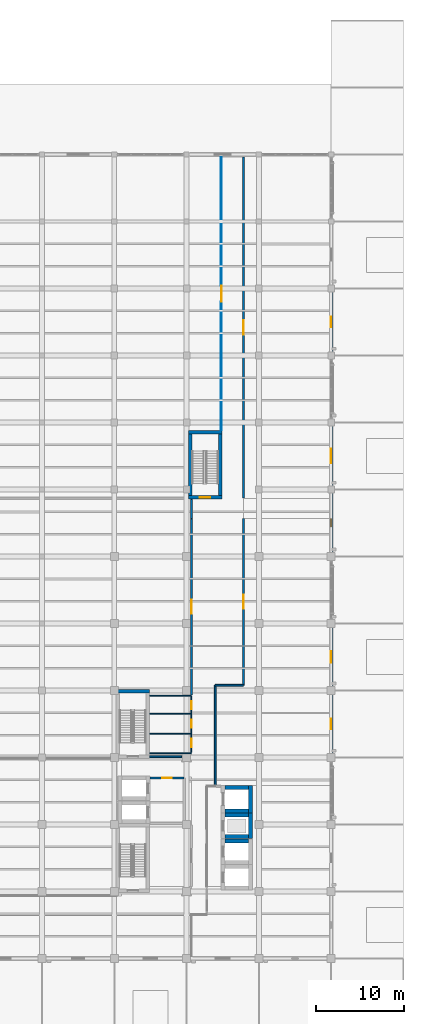
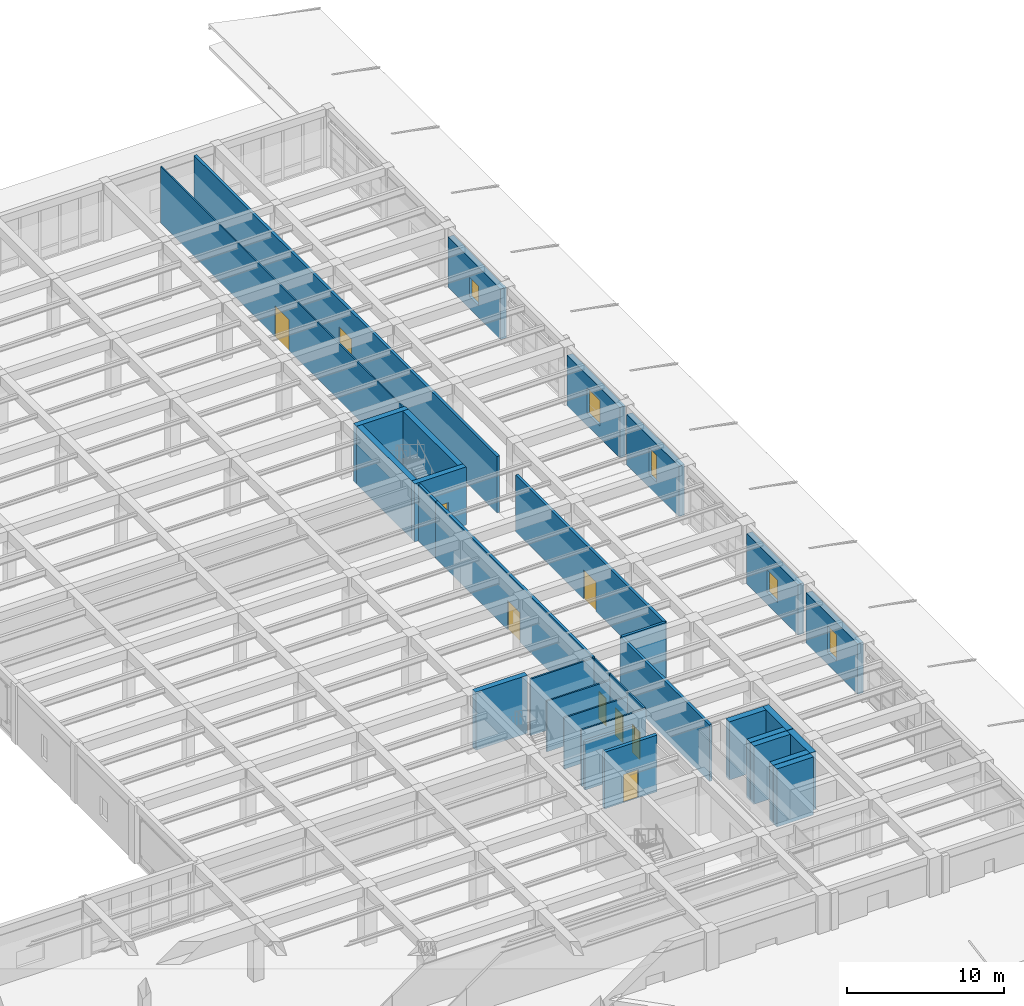
# One storey, part 42 of 57: 33 walls, 9 doors, 5 windows, 14 openings.
"""IFC4 building model written with IfcOpenShell, lengths in metres."""

import ifcopenshell
import ifcopenshell.guid

model = None  # the IFC model being written
_history = None  # IfcOwnerHistory: only IFC2X3 demands one
_inside = {}  # id of a spatial element -> (the spatial element, [elements in it])
_under = {}  # id of a project, library or spatial element -> (it, [spatial elements below it])
_declared = {}  # id of a project -> (the project, [libraries it declares])
_typed = {}  # id of a type object -> (the type object, [elements of that type])
_made_of = {}  # id of a material, layer set ... -> (it, [elements and type objects made of it])


def new_model(schema):
    """Start an empty IFC model of exactly this schema.

    Asked for "IFC4X3", IfcOpenShell would pick the latest addendum, in which some entities
    have other attributes; the version numbers below select the first issue.
    IFC2X3 requires an IfcOwnerHistory on every rooted entity: one is made here for all.
    """
    global model, _history
    if schema == "IFC4X3":
        model = ifcopenshell.file(schema_version=(4, 3, 0, 0))
    else:
        model = ifcopenshell.file(schema=schema)
    _inside.clear()
    _under.clear()
    _declared.clear()
    _typed.clear()
    _made_of.clear()
    _history = None
    if model.schema == "IFC2X3":
        org = make("IfcOrganization", Name="unknown")
        user = make(
            "IfcPersonAndOrganization",
            ThePerson=make("IfcPerson", FamilyName="unknown"),
            TheOrganization=org,
        )
        app = make(
            "IfcApplication",
            ApplicationDeveloper=org,
            Version="unknown",
            ApplicationFullName="unknown",
            ApplicationIdentifier="unknown",
        )
        _history = make(
            "IfcOwnerHistory",
            OwningUser=user,
            OwningApplication=app,
            ChangeAction="ADDED",
            CreationDate=0,
        )
    return model


def make(cls, **values):
    """One entity of the class cls with the attributes given. An attribute that is None is left unset."""
    return model.create_entity(
        cls, **{name: value for name, value in values.items() if value is not None}
    )


def rooted(cls, **values):
    """An entity with a GlobalId (a new one), such as an element, a storey or a relation."""
    return make(cls, GlobalId=ifcopenshell.guid.new(), OwnerHistory=_history, **values)


def si_unit(unit_type, name, prefix=None):
    """IfcSIUnit, for example si_unit("LENGTHUNIT", "METRE", prefix="MILLI")."""
    return make("IfcSIUnit", UnitType=unit_type, Prefix=prefix, Name=name)


def assignment(units):
    """IfcUnitAssignment: the units of a project."""
    return None if units is None else make("IfcUnitAssignment", Units=units)


def point(xyz):
    """IfcCartesianPoint."""
    return None if xyz is None else make("IfcCartesianPoint", Coordinates=xyz)


def direction(xyz):
    """IfcDirection."""
    return None if xyz is None else make("IfcDirection", DirectionRatios=xyz)


def frame(location, z_axis=None, x_axis=None):
    """IfcAxis2Placement3D, a coordinate frame: its origin and axes. An axis left out is left unset."""
    return make(
        "IfcAxis2Placement3D",
        Location=point(location),
        Axis=direction(z_axis),
        RefDirection=direction(x_axis),
    )


def frame_2d(location, x_axis=None):
    """IfcAxis2Placement2D, a coordinate frame in the plane: its origin and x axis."""
    return make(
        "IfcAxis2Placement2D", Location=point(location), RefDirection=direction(x_axis)
    )


def origin():
    """The frame at (0, 0, 0) with its axes left unset."""
    return frame((0.0, 0.0, 0.0))


def place(relative_to, where):
    """IfcLocalPlacement: puts the frame where relative to a parent placement (None: the world)."""
    return make(
        "IfcLocalPlacement", PlacementRelTo=relative_to, RelativePlacement=where
    )


def context(
    kind, dimensions, precision=None, world=None, true_north=None, identifier=None
):
    """IfcGeometricRepresentationContext, for example the 3D "Model" context."""
    return make(
        "IfcGeometricRepresentationContext",
        ContextIdentifier=identifier,
        ContextType=kind,
        CoordinateSpaceDimension=dimensions,
        Precision=precision,
        WorldCoordinateSystem=world,
        TrueNorth=true_north,
    )


def subcontext(parent, identifier, kind, view, scale=None):
    """IfcGeometricRepresentationSubContext, for example "Body" below "Model"."""
    return make(
        "IfcGeometricRepresentationSubContext",
        ContextIdentifier=identifier,
        ContextType=kind,
        ParentContext=parent,
        TargetScale=scale,
        TargetView=view,
    )


def project(units=None, contexts=None):
    """IfcProject with its units and contexts."""
    return rooted(
        "IfcProject",
        Name="project",
        RepresentationContexts=contexts,
        UnitsInContext=assignment(units),
    )


def spatial(cls, under=None, at=None, **own):
    """A site, building, storey or space (cls), placed at a placement, below another one or the project."""
    s = rooted(cls, ObjectPlacement=at, **own)
    if under is not None:
        _under.setdefault(under.id(), (under, []))[1].append(s)
    return s


def profile(cls, at=None, kind="AREA", **sizes):
    """A parametric profile (cls). Its sizes go by their IFC names, for example OverallWidth=200.0."""
    return make(cls, ProfileType=kind, Position=at, **sizes)


def rectangle(**sizes):
    """IfcRectangleProfileDef."""
    return profile("IfcRectangleProfileDef", **sizes)


def extrude(swept, where, along, depth):
    """IfcExtrudedAreaSolid: the profile swept, set in the frame where, extruded along a direction by depth."""
    return make(
        "IfcExtrudedAreaSolid",
        SweptArea=swept,
        Position=where,
        ExtrudedDirection=direction(along),
        Depth=depth,
    )


def shape(context_of_items, identifier, shape_type, items):
    """IfcShapeRepresentation: the items that make up one representation, for example the "Body"."""
    return make(
        "IfcShapeRepresentation",
        ContextOfItems=context_of_items,
        RepresentationIdentifier=identifier,
        RepresentationType=shape_type,
        Items=items,
    )


def material(Name=None, Category=None):
    """IfcMaterial."""
    return make("IfcMaterial", Name=Name, Category=Category)


def layer(
    of_material, thickness, ventilated=None, Name=None, Category=None, Priority=None
):
    """IfcMaterialLayer: one layer of a wall or slab, of a material (None: an air gap)."""
    return make(
        "IfcMaterialLayer",
        Material=of_material,
        LayerThickness=thickness,
        IsVentilated=ventilated,
        Name=Name,
        Category=Category,
        Priority=Priority,
    )


def layer_set(layers, Name=None):
    """IfcMaterialLayerSet."""
    return make("IfcMaterialLayerSet", MaterialLayers=layers, LayerSetName=Name)


def made_of(thing, what):
    """Note that an element or type object is made of a material, layer set ...; save() writes the relation."""
    if what is not None:
        _made_of.setdefault(what.id(), (what, []))[1].append(thing)
    return thing


def type_object(cls, material=None, **own):
    """A type object (cls), such as IfcWallType, which elements share."""
    return made_of(rooted(cls, **own), material)


def element(
    cls,
    number,
    at=None,
    inside=None,
    cuts=None,
    type_object=None,
    material=None,
    context=None,
    identifier="Body",
    shape_type=None,
    held_by="IfcProductDefinitionShape",
    body=None,
    shapes=None,
    **own,
):
    """One element of the class cls, such as IfcWall. Its Tag is "e" and its number.

    at: its placement. inside: the storey or other place that contains it. cuts: it is an
    opening in that element (IfcRelVoidsElement). A single representation is given by context,
    identifier, shape_type and body (its items); several are given by shapes. held_by: the class
    of the entity that holds the representations. save() writes the other relations.
    """
    e = rooted(cls, Tag="e%d" % number, ObjectPlacement=at, **own)
    if body is not None:
        shapes = [shape(context, identifier, shape_type, body)]
    if shapes is not None:
        e.Representation = make(held_by, Representations=shapes)
    if inside is not None:
        _inside.setdefault(inside.id(), (inside, []))[1].append(e)
    if cuts is not None:
        rooted(
            "IfcRelVoidsElement", RelatingBuildingElement=cuts, RelatedOpeningElement=e
        )
    if type_object is not None:
        _typed.setdefault(type_object.id(), (type_object, []))[1].append(e)
    return made_of(e, material)


def fill(opening, filler):
    """IfcRelFillsElement: the door or window that sits in an opening."""
    return rooted(
        "IfcRelFillsElement",
        RelatingOpeningElement=opening,
        RelatedBuildingElement=filler,
    )


def aggregate(whole, parts):
    """IfcRelAggregates: a whole, such as a stair, and the parts it consists of."""
    return rooted("IfcRelAggregates", RelatingObject=whole, RelatedObjects=parts)


def save(model, path):
    """Write the relations noted so far, then the file.

    IfcRelAggregates (storeys below a building ...), IfcRelContainedInSpatialStructure (elements
    in a storey), IfcRelDefinesByType, IfcRelAssociatesMaterial and IfcRelDeclares: one each for
    every whole, place, type object, material and project.
    """
    for whole, parts in _under.values():
        aggregate(whole, parts)
    for where, things in _inside.values():
        rooted(
            "IfcRelContainedInSpatialStructure",
            RelatedElements=things,
            RelatingStructure=where,
        )
    for kind, things in _typed.values():
        rooted("IfcRelDefinesByType", RelatedObjects=things, RelatingType=kind)
    for what, things in _made_of.values():
        rooted("IfcRelAssociatesMaterial", RelatedObjects=things, RelatingMaterial=what)
    for by, libraries in _declared.values():
        rooted("IfcRelDeclares", RelatingContext=by, RelatedDefinitions=libraries)
    model.write(path)


model = new_model("IFC4")

# Units and contexts
model_context = context("Model", 3, precision=1e-05, world=origin(), true_north=direction((0.0, 1.0)))
body_context = subcontext(model_context, "Body", "Model", "MODEL_VIEW")
ifc_project = project(units=[si_unit("LENGTHUNIT", "METRE"), si_unit("AREAUNIT", "SQUARE_METRE"), si_unit("VOLUMEUNIT", "CUBIC_METRE"), si_unit("PLANEANGLEUNIT", "RADIAN"), si_unit("MASSUNIT", "GRAM", prefix="KILO")], contexts=[model_context])

# Site, building, storey
site_placement = place(None, origin())
site = spatial("IfcSite", under=ifc_project, at=site_placement, CompositionType="ELEMENT")
building_placement = place(site_placement, origin())
building = spatial("IfcBuilding", under=site, at=building_placement, Name="Qandaris Square Conservatory and Botanical Centre", CompositionType="ELEMENT")
storey_placement = place(building_placement, frame((0.0, 0.0, 5.39990234375)))
storey = spatial("IfcBuildingStorey", under=building, at=storey_placement, Name="L01", CompositionType="ELEMENT", Elevation=5.39990234375)

# Wall, opening, door
ifc_material_1 = material(Name="Concrete C40/50", Category="concrete")
ifc_layer_1 = layer(ifc_material_1, 0.25)
ifc_layer_set_1 = layer_set([ifc_layer_1], Name="Concrete C40/50")
wall_type_1 = type_object("IfcWallType", Name="Firefighting Lobby Compartment Wall 250mm", PredefinedType="SOLIDWALL", material=ifc_layer_set_1)
wall_1_placement = place(storey_placement, frame((143.25, 37.074951171875, 0.0), z_axis=(0.0, 0.0, 1.0), x_axis=(1.0, 0.0, 0.0)))
wall_1 = element("IfcWall", 1, at=wall_1_placement, inside=storey, type_object=wall_type_1, Name="Firefighting Lobby Wall North (L01)", PredefinedType="SOLIDWALL", context=body_context, shape_type="SweptSolid", body=[
    extrude(rectangle(XDim=3.875, YDim=0.25, at=frame_2d((1.9375, 0.0))), origin(), (0.0, 0.0, 1.0), 4.405029296875),
])
opening_1_placement = place(wall_1_placement, frame((1.387451171875, 0.0, 0.0)))
opening_1 = element("IfcOpeningElement", 2, at=opening_1_placement, cuts=wall_1, Name="Opening D-FFL", PredefinedType="OPENING", context=body_context, shape_type="SweptSolid", body=[
    extrude(rectangle(XDim=1.10009765625, YDim=2.199951171875, at=frame_2d((0.550048828125, 1.10009765625))), frame((0.0, 0.136962890625, 0.0), z_axis=(0.0, -1.0, 0.0), x_axis=(1.0, 0.0, 0.0)), (0.0, 0.0, 1.0), 0.27392578125),
])
ifc_material_2 = material(Name="Steel S355", Category="steel")
door_type_1 = type_object("IfcDoorType", Name="Firefighting Lobby Smoke-Seal Door 1100x2200", OperationType="NOTDEFINED", PredefinedType="DOOR", material=ifc_material_2)
door_1_placement = place(opening_1_placement, origin())
door_1 = element("IfcDoor", 3, at=door_1_placement, inside=storey, type_object=door_type_1, Name="DR-0091 Firefighting Lobby Door (L01)", OperationType="SINGLE_SWING_RIGHT", OverallHeight=2.199951171875, OverallWidth=1.10009765625, PredefinedType="DOOR", context=body_context, shape_type="SweptSolid", body=[
    extrude(rectangle(XDim=1.10009765625, YDim=2.199951171875, at=frame_2d((0.550048828125, 1.10009765625))), frame((0.0, 0.02490234375, 0.0), z_axis=(0.0, -1.0, 0.0), x_axis=(1.0, 0.0, 0.0)), (0.0, 0.0, 1.0), 0.050048828125),
])
fill(opening_1, door_1)

ifc_material_3 = material(Name="Tempered Low-E Glass", Category="glass")
ifc_layer_2 = layer(ifc_material_3, 0.10009765625)
ifc_layer_set_2 = layer_set([ifc_layer_2], Name="Tempered Low-E Glass")
wall_type_2 = type_object("IfcWallType", Name="Framed Acoustic Glazed Gallery Screen 100mm", PredefinedType="PARTITIONING", material=ifc_layer_set_2)
wall_2_placement = place(storey_placement, frame((151.35009765625, 76.530029296875, 0.0), z_axis=(0.0, 0.0, 1.0), x_axis=(0.0, 1.0, 0.0)))
wall_2 = element("IfcWall", 4, at=wall_2_placement, inside=storey, type_object=wall_type_2, Name="Interior Partition IW-L01-0116", PredefinedType="PARTITIONING", context=body_context, shape_type="SweptSolid", body=[
    extrude(rectangle(XDim=30.969970703125, YDim=0.10009765625, at=frame_2d((15.48486328125, 0.0))), origin(), (0.0, 0.0, 1.0), 4.405029296875),
])
opening_2_placement = place(wall_2_placement, frame((14.5849609375, 0.0, 0.0)))
opening_2 = element("IfcOpeningElement", 5, at=opening_2_placement, cuts=wall_2, Name="Opening D-GL1", PredefinedType="OPENING", context=body_context, shape_type="SweptSolid", body=[
    extrude(rectangle(XDim=1.800048828125, YDim=2.39990234375, at=frame_2d((0.89990234375, 1.199951171875))), frame((0.0, 0.06201171875, 0.0), z_axis=(0.0, -1.0, 0.0), x_axis=(1.0, 0.0, 0.0)), (0.0, 0.0, 1.0), 0.1240234375),
])
ifc_material_4 = material(Name="Anodised Aluminium", Category="aluminium")
door_type_2 = type_object("IfcDoorType", Name="Visitor Gallery Glazed Double Door 1800x2400", OperationType="DOUBLE_DOOR_SINGLE_SWING", PredefinedType="DOOR", material=ifc_material_4)
door_2_placement = place(opening_2_placement, frame((1.800048828125, 0.0, 0.0), z_axis=(0.0, 0.0, 1.0), x_axis=(-1.0, 0.0, 0.0)))
door_2 = element("IfcDoor", 6, at=door_2_placement, inside=storey, type_object=door_type_2, Name="DR-0097 Botanical Rare Books Reading Room Door", OperationType="DOUBLE_DOOR_SINGLE_SWING", OverallHeight=2.39990234375, OverallWidth=1.800048828125, PredefinedType="DOOR", context=body_context, shape_type="SweptSolid", body=[
    extrude(rectangle(XDim=1.800048828125, YDim=2.39990234375, at=frame_2d((0.89990234375, 1.199951171875))), frame((0.0, 0.02490234375, 0.0), z_axis=(0.0, -1.0, 0.0), x_axis=(1.0, 0.0, 0.0)), (0.0, 0.0, 1.0), 0.050048828125),
])
fill(opening_2, door_2)

ifc_layer_3 = layer(ifc_material_1, 0.199951171875)
ifc_layer_set_3 = layer_set([ifc_layer_3], Name="Concrete C40/50")
wall_type_3 = type_object("IfcWallType", Name="Herbarium & Plant Compartment Wall 200mm", PredefinedType="PARTITIONING", material=ifc_layer_set_3)
wall_3_placement = place(storey_placement, frame((153.85009765625, 66.5, 0.0), z_axis=(0.0, 0.0, 1.0), x_axis=(0.0, -1.0, 0.0)))
wall_3 = element("IfcWall", 7, at=wall_3_placement, inside=storey, type_object=wall_type_3, Name="Interior Partition IW-L01-0110", PredefinedType="PARTITIONING", context=body_context, shape_type="SweptSolid", body=[
    extrude(rectangle(XDim=18.89990234375, YDim=0.199951171875, at=frame_2d((9.449951171875, 0.0))), origin(), (0.0, 0.0, 1.0), 4.405029296875),
])
opening_3_placement = place(wall_3_placement, frame((8.64990234375, 0.0, 0.0)))
opening_3 = element("IfcOpeningElement", 8, at=opening_3_placement, cuts=wall_3, Name="Opening D-HRB1", PredefinedType="OPENING", context=body_context, shape_type="SweptSolid", body=[
    extrude(rectangle(XDim=1.60009765625, YDim=2.300048828125, at=frame_2d((0.800048828125, 1.14990234375))), frame((0.0, 0.11181640625, 0.0), z_axis=(0.0, -1.0, 0.0), x_axis=(1.0, 0.0, 0.0)), (0.0, 0.0, 1.0), 0.223876953125),
])
door_type_3 = type_object("IfcDoorType", Name="Herbarium Sealable Specimen Double Door 1600x2300", OperationType="DOUBLE_DOOR_SINGLE_SWING", PredefinedType="DOOR", material=ifc_material_2)
door_3_placement = place(opening_3_placement, frame((1.60009765625, 0.0, 0.0), z_axis=(0.0, 0.0, 1.0), x_axis=(-1.0, 0.0, 0.0)))
door_3 = element("IfcDoor", 9, at=door_3_placement, inside=storey, type_object=door_type_3, Name="DR-0104 Arabian Peninsula Herbarium Compactor Hall Door", OperationType="DOUBLE_DOOR_SINGLE_SWING", OverallHeight=2.300048828125, OverallWidth=1.60009765625, PredefinedType="DOOR", context=body_context, shape_type="SweptSolid", body=[
    extrude(rectangle(XDim=1.60009765625, YDim=2.300048828125, at=frame_2d((0.800048828125, 1.14990234375))), frame((0.0, 0.02490234375, 0.0), z_axis=(0.0, -1.0, 0.0), x_axis=(1.0, 0.0, 0.0)), (0.0, 0.0, 1.0), 0.050048828125),
])
fill(opening_3, door_3)

# Walls
wall_4_placement = place(storey_placement, frame((153.85009765625, 47.60009765625, 0.0), z_axis=(0.0, 0.0, 1.0), x_axis=(-1.0, 0.0, 0.0)))
element("IfcWall", 10, at=wall_4_placement, inside=storey, type_object=wall_type_3, Name="Interior Partition IW-L01-0111", PredefinedType="PARTITIONING", context=body_context, shape_type="SweptSolid", body=[
    extrude(rectangle(XDim=3.2001953125, YDim=0.199951171875, at=frame_2d((1.60009765625, 0.0))), origin(), (0.0, 0.0, 1.0), 4.405029296875),
])
wall_5_placement = place(storey_placement, frame((150.64990234375, 47.60009765625, 0.0), z_axis=(0.0, 0.0, 1.0), x_axis=(0.0, -1.0, 0.0)))
element("IfcWall", 11, at=wall_5_placement, inside=storey, type_object=wall_type_3, Name="Interior Partition IW-L01-0112", PredefinedType="PARTITIONING", context=body_context, shape_type="SweptSolid", body=[
    extrude(rectangle(XDim=11.35009765625, YDim=0.199951171875, at=frame_2d((5.675048828125, 0.0))), origin(), (0.0, 0.0, 1.0), 4.405029296875),
])
wall_6_placement = place(storey_placement, frame((143.199951171875, 39.47998046875, 0.0), z_axis=(0.0, 0.0, 1.0), x_axis=(1.0, 0.0, 0.0)))
element("IfcWall", 12, at=wall_6_placement, inside=storey, type_object=wall_type_3, Name="Interior Partition IW-L01-0113", PredefinedType="PARTITIONING", context=body_context, shape_type="SweptSolid", body=[
    extrude(rectangle(XDim=3.650146484375, YDim=0.199951171875, at=frame_2d((1.8251953125, 0.0))), origin(), (0.0, 0.0, 1.0), 3.755126953125),
])

# Wall, opening, door
wall_7_placement = place(storey_placement, frame((147.949951171875, 46.510009765625, 0.0), z_axis=(0.0, 0.0, 1.0), x_axis=(0.0, 1.0, 0.0)))
wall_7 = element("IfcWall", 13, at=wall_7_placement, inside=storey, type_object=wall_type_3, Name="Interior Partition IW-L01-0114", PredefinedType="PARTITIONING", context=body_context, shape_type="SweptSolid", body=[
    extrude(rectangle(XDim=19.989990234375, YDim=0.199951171875, at=frame_2d((9.9951171875, 0.0))), origin(), (0.0, 0.0, 1.0), 4.405029296875),
])
opening_4_placement = place(wall_7_placement, frame((9.195068359375, 0.0, 0.0)))
opening_4 = element("IfcOpeningElement", 14, at=opening_4_placement, cuts=wall_7, Name="Opening D-HRB1", PredefinedType="OPENING", context=body_context, shape_type="SweptSolid", body=[
    extrude(rectangle(XDim=1.60009765625, YDim=2.300048828125, at=frame_2d((0.800048828125, 1.14990234375))), frame((0.0, 0.11181640625, 0.0), z_axis=(0.0, -1.0, 0.0), x_axis=(1.0, 0.0, 0.0)), (0.0, 0.0, 1.0), 0.223876953125),
])
door_4_placement = place(opening_4_placement, origin())
door_4 = element("IfcDoor", 15, at=door_4_placement, inside=storey, type_object=door_type_3, Name="DR-0105 Herbarium Specimen Mounting Studio Door", OperationType="DOUBLE_DOOR_SINGLE_SWING", OverallHeight=2.300048828125, OverallWidth=1.60009765625, PredefinedType="DOOR", context=body_context, shape_type="SweptSolid", body=[
    extrude(rectangle(XDim=1.60009765625, YDim=2.300048828125, at=frame_2d((0.800048828125, 1.14990234375))), frame((0.0, 0.02490234375, 0.0), z_axis=(0.0, -1.0, 0.0), x_axis=(1.0, 0.0, 0.0)), (0.0, 0.0, 1.0), 0.050048828125),
])
fill(opening_4, door_4)

# Wall
wall_8_placement = place(storey_placement, frame((147.949951171875, 66.5, 0.0), z_axis=(0.0, 0.0, 1.0), x_axis=(0.0, 1.0, 0.0)))
element("IfcWall", 16, at=wall_8_placement, inside=storey, type_object=wall_type_3, Name="Interior Partition IW-L01-0115", PredefinedType="PARTITIONING", context=body_context, shape_type="SweptSolid", body=[
    extrude(rectangle(XDim=2.169921875, YDim=0.199951171875, at=frame_2d((1.0849609375, 0.0))), origin(), (0.0, 0.0, 1.0), 4.405029296875),
])

# Wall, opening, door
wall_9_placement = place(storey_placement, frame((153.85009765625, 107.5, 0.0), z_axis=(0.0, 0.0, 1.0), x_axis=(0.0, -1.0, 0.0)))
wall_9 = element("IfcWall", 17, at=wall_9_placement, inside=storey, type_object=wall_type_3, Name="Interior Partition IW-L01-0117", PredefinedType="PARTITIONING", context=body_context, shape_type="SweptSolid", body=[
    extrude(rectangle(XDim=38.64990234375, YDim=0.199951171875, at=frame_2d((19.324951171875, 0.0))), origin(), (0.0, 0.0, 1.0), 4.405029296875),
])
opening_5_placement = place(wall_9_placement, frame((18.52490234375, 0.0, 0.0)))
opening_5 = element("IfcOpeningElement", 18, at=opening_5_placement, cuts=wall_9, Name="Opening D-HRB1", PredefinedType="OPENING", context=body_context, shape_type="SweptSolid", body=[
    extrude(rectangle(XDim=1.60009765625, YDim=2.300048828125, at=frame_2d((0.800048828125, 1.14990234375))), frame((0.0, 0.11181640625, 0.0), z_axis=(0.0, -1.0, 0.0), x_axis=(1.0, 0.0, 0.0)), (0.0, 0.0, 1.0), 0.223876953125),
])
door_5_placement = place(opening_5_placement, origin())
door_5 = element("IfcDoor", 19, at=door_5_placement, inside=storey, type_object=door_type_3, Name="DR-0106 High-Resolution Herbarium Digitisation Suite Door", OperationType="DOUBLE_DOOR_SINGLE_SWING", OverallHeight=2.300048828125, OverallWidth=1.60009765625, PredefinedType="DOOR", context=body_context, shape_type="SweptSolid", body=[
    extrude(rectangle(XDim=1.60009765625, YDim=2.300048828125, at=frame_2d((0.800048828125, 1.14990234375))), frame((0.0, 0.02490234375, 0.0), z_axis=(0.0, -1.0, 0.0), x_axis=(1.0, 0.0, 0.0)), (0.0, 0.0, 1.0), 0.050048828125),
])
fill(opening_5, door_5)

# Wall, opening, window
ifc_layer_4 = layer(ifc_material_1, 0.419921875)
ifc_layer_set_4 = layer_set([ifc_layer_4], Name="Concrete C40/50")
wall_type_4 = type_object("IfcWallType", Name="Insulated Qatari Limestone Cavity Wall 420mm", PredefinedType="SOLIDWALL", material=ifc_layer_set_4)
wall_10_placement = place(storey_placement, frame((163.800048828125, 39.909912109375, 0.0), z_axis=(0.0, 0.0, 1.0), x_axis=(0.0, 1.0, 0.0)))
wall_10 = element("IfcWall", 20, at=wall_10_placement, inside=storey, type_object=wall_type_4, Name="Exterior Wall EW-TWR-L01-2-4", PredefinedType="SOLIDWALL", context=body_context, shape_type="SweptSolid", body=[
    extrude(rectangle(XDim=6.580078125, YDim=0.419921875, at=frame_2d((3.2900390625, 0.0))), origin(), (0.0, 0.0, 1.0), 3.93017578125),
])
opening_6_placement = place(wall_10_placement, frame((2.715087890625, 0.0, 0.949951171875)))
opening_6 = element("IfcOpeningElement", 21, at=opening_6_placement, cuts=wall_10, Name="Opening WN-20", PredefinedType="OPENING", context=body_context, shape_type="SweptSolid", body=[
    extrude(rectangle(XDim=1.14990234375, YDim=2.050048828125, at=frame_2d((0.574951171875, 1.02490234375))), frame((0.0, 0.221923828125, 0.0), z_axis=(0.0, -1.0, 0.0), x_axis=(1.0, 0.0, 0.0)), (0.0, 0.0, 1.0), 0.44384765625),
])
window_type_1 = type_object("IfcWindowType", Name="Solar Control Window 1150x2050", PartitioningType="SINGLE_PANEL", PredefinedType="WINDOW", material=ifc_material_3)
window_1_placement = place(opening_6_placement, origin())
window_1 = element("IfcWindow", 22, at=window_1_placement, inside=storey, type_object=window_type_1, Name="Window EW-TWR-L01-2-4", OverallHeight=2.050048828125, OverallWidth=1.14990234375, PartitioningType="SINGLE_PANEL", PredefinedType="WINDOW", context=body_context, shape_type="SweptSolid", body=[
    extrude(rectangle(XDim=1.14990234375, YDim=2.050048828125, at=frame_2d((0.574951171875, 1.02490234375))), frame((0.0, 0.030029296875, 0.0), z_axis=(0.0, -1.0, 0.0), x_axis=(1.0, 0.0, 0.0)), (0.0, 0.0, 1.0), 0.06005859375),
])
fill(opening_6, window_1)

wall_11_placement = place(storey_placement, frame((163.800048828125, 47.510009765625, 0.0), z_axis=(0.0, 0.0, 1.0), x_axis=(0.0, 1.0, 0.0)))
wall_11 = element("IfcWall", 23, at=wall_11_placement, inside=storey, type_object=wall_type_4, Name="Exterior Wall EW-TWR-L01-2-5", PredefinedType="SOLIDWALL", context=body_context, shape_type="SweptSolid", body=[
    extrude(rectangle(XDim=6.580078125, YDim=0.419921875, at=frame_2d((3.2900390625, 0.0))), origin(), (0.0, 0.0, 1.0), 3.93017578125),
])
opening_7_placement = place(wall_11_placement, frame((2.614990234375, 0.0, 0.949951171875)))
opening_7 = element("IfcOpeningElement", 24, at=opening_7_placement, cuts=wall_11, Name="Opening WN-23", PredefinedType="OPENING", context=body_context, shape_type="SweptSolid", body=[
    extrude(rectangle(XDim=1.35009765625, YDim=1.75, at=frame_2d((0.675048828125, 0.875))), frame((0.0, 0.221923828125, 0.0), z_axis=(0.0, -1.0, 0.0), x_axis=(1.0, 0.0, 0.0)), (0.0, 0.0, 1.0), 0.44384765625),
])
window_type_2 = type_object("IfcWindowType", Name="Solar Control Window 1350x1750", PartitioningType="SINGLE_PANEL", PredefinedType="WINDOW", material=ifc_material_3)
window_2_placement = place(opening_7_placement, origin())
window_2 = element("IfcWindow", 25, at=window_2_placement, inside=storey, type_object=window_type_2, Name="Window EW-TWR-L01-2-5", OverallHeight=1.75, OverallWidth=1.35009765625, PartitioningType="SINGLE_PANEL", PredefinedType="WINDOW", context=body_context, shape_type="SweptSolid", body=[
    extrude(rectangle(XDim=1.35009765625, YDim=1.75, at=frame_2d((0.675048828125, 0.875))), frame((0.0, 0.030029296875, 0.0), z_axis=(0.0, -1.0, 0.0), x_axis=(1.0, 0.0, 0.0)), (0.0, 0.0, 1.0), 0.06005859375),
])
fill(opening_7, window_2)

wall_12_placement = place(storey_placement, frame((163.800048828125, 62.7099609375, 0.0), z_axis=(0.0, 0.0, 1.0), x_axis=(0.0, 1.0, 0.0)))
wall_12 = element("IfcWall", 26, at=wall_12_placement, inside=storey, type_object=wall_type_4, Name="Exterior Wall EW-TWR-L01-2-7", PredefinedType="SOLIDWALL", context=body_context, shape_type="SweptSolid", body=[
    extrude(rectangle(XDim=6.655029296875, YDim=0.419921875, at=frame_2d((3.32763671875, 0.0))), origin(), (0.0, 0.0, 1.0), 3.93017578125),
])
opening_8_placement = place(wall_12_placement, frame((2.87744140625, 0.0, 0.949951171875)))
opening_8 = element("IfcOpeningElement", 27, at=opening_8_placement, cuts=wall_12, Name="Opening WN-01", PredefinedType="OPENING", context=body_context, shape_type="SweptSolid", body=[
    extrude(rectangle(XDim=0.89990234375, YDim=2.10009765625, at=frame_2d((0.449951171875, 1.050048828125))), frame((0.0, 0.221923828125, 0.0), z_axis=(0.0, -1.0, 0.0), x_axis=(1.0, 0.0, 0.0)), (0.0, 0.0, 1.0), 0.44384765625),
])
window_type_3 = type_object("IfcWindowType", Name="Deep-Set Solar Slot Window 900x2100", PartitioningType="SINGLE_PANEL", PredefinedType="WINDOW", material=ifc_material_3)
window_3_placement = place(opening_8_placement, origin())
window_3 = element("IfcWindow", 28, at=window_3_placement, inside=storey, type_object=window_type_3, Name="Window EW-TWR-L01-2-7", OverallHeight=2.10009765625, OverallWidth=0.89990234375, PartitioningType="SINGLE_PANEL", PredefinedType="WINDOW", context=body_context, shape_type="SweptSolid", body=[
    extrude(rectangle(XDim=0.89990234375, YDim=2.10009765625, at=frame_2d((0.449951171875, 1.050048828125))), frame((0.0, 0.030029296875, 0.0), z_axis=(0.0, -1.0, 0.0), x_axis=(1.0, 0.0, 0.0)), (0.0, 0.0, 1.0), 0.06005859375),
])
fill(opening_8, window_3)

wall_13_placement = place(storey_placement, frame((163.800048828125, 70.235107421875, 0.0), z_axis=(0.0, 0.0, 1.0), x_axis=(0.0, 1.0, 0.0)))
wall_13 = element("IfcWall", 29, at=wall_13_placement, inside=storey, type_object=wall_type_4, Name="Exterior Wall EW-TWR-L01-2-8", PredefinedType="SOLIDWALL", context=body_context, shape_type="SweptSolid", body=[
    extrude(rectangle(XDim=6.72998046875, YDim=0.419921875, at=frame_2d((3.364990234375, 0.0))), origin(), (0.0, 0.0, 1.0), 3.93017578125),
])
opening_9_placement = place(wall_13_placement, frame((2.5400390625, 0.0, 0.949951171875)))
opening_9 = element("IfcOpeningElement", 30, at=opening_9_placement, cuts=wall_13, Name="Opening WN-08", PredefinedType="OPENING", context=body_context, shape_type="SweptSolid", body=[
    extrude(rectangle(XDim=1.64990234375, YDim=2.0, at=frame_2d((0.824951171875, 1.0))), frame((0.0, 0.221923828125, 0.0), z_axis=(0.0, -1.0, 0.0), x_axis=(1.0, 0.0, 0.0)), (0.0, 0.0, 1.0), 0.44384765625),
])
window_type_4 = type_object("IfcWindowType", Name="Seminar Courtyard Window 1650x2000", PartitioningType="DOUBLE_PANEL_VERTICAL", PredefinedType="WINDOW", material=ifc_material_3)
window_4_placement = place(opening_9_placement, origin())
window_4 = element("IfcWindow", 31, at=window_4_placement, inside=storey, type_object=window_type_4, Name="Window EW-TWR-L01-2-8", OverallHeight=2.0, OverallWidth=1.64990234375, PartitioningType="DOUBLE_PANEL_VERTICAL", PredefinedType="WINDOW", context=body_context, shape_type="SweptSolid", body=[
    extrude(rectangle(XDim=1.64990234375, YDim=2.0, at=frame_2d((0.824951171875, 1.0))), frame((0.0, 0.030029296875, 0.0), z_axis=(0.0, -1.0, 0.0), x_axis=(1.0, 0.0, 0.0)), (0.0, 0.0, 1.0), 0.06005859375),
])
fill(opening_9, window_4)

wall_14_placement = place(storey_placement, frame((163.800048828125, 85.43505859375, 0.0), z_axis=(0.0, 0.0, 1.0), x_axis=(0.0, 1.0, 0.0)))
wall_14 = element("IfcWall", 32, at=wall_14_placement, inside=storey, type_object=wall_type_4, Name="Exterior Wall EW-TWR-L01-2-10", PredefinedType="SOLIDWALL", context=body_context, shape_type="SweptSolid", body=[
    extrude(rectangle(XDim=6.72998046875, YDim=0.419921875, at=frame_2d((3.364990234375, 0.0))), origin(), (0.0, 0.0, 1.0), 3.93017578125),
])
opening_10_placement = place(wall_14_placement, frame((2.7900390625, 0.0, 0.949951171875)))
opening_10 = element("IfcOpeningElement", 33, at=opening_10_placement, cuts=wall_14, Name="Opening WN-18", PredefinedType="OPENING", context=body_context, shape_type="SweptSolid", body=[
    extrude(rectangle(XDim=1.14990234375, YDim=1.5, at=frame_2d((0.574951171875, 0.75))), frame((0.0, 0.221923828125, 0.0), z_axis=(0.0, -1.0, 0.0), x_axis=(1.0, 0.0, 0.0)), (0.0, 0.0, 1.0), 0.44384765625),
])
window_type_5 = type_object("IfcWindowType", Name="Solar Control Window 1150x1500", PartitioningType="SINGLE_PANEL", PredefinedType="WINDOW", material=ifc_material_3)
window_5_placement = place(opening_10_placement, origin())
window_5 = element("IfcWindow", 34, at=window_5_placement, inside=storey, type_object=window_type_5, Name="Window EW-TWR-L01-2-10", OverallHeight=1.5, OverallWidth=1.14990234375, PartitioningType="SINGLE_PANEL", PredefinedType="WINDOW", context=body_context, shape_type="SweptSolid", body=[
    extrude(rectangle(XDim=1.14990234375, YDim=1.5, at=frame_2d((0.574951171875, 0.75))), frame((0.0, 0.030029296875, 0.0), z_axis=(0.0, -1.0, 0.0), x_axis=(1.0, 0.0, 0.0)), (0.0, 0.0, 1.0), 0.06005859375),
])
fill(opening_10, window_5)

# Walls
ifc_material_5 = material(Name="Concrete C50/60", Category="concrete")
ifc_layer_5 = layer(ifc_material_5, 0.449951171875)
ifc_layer_set_5 = layer_set([ifc_layer_5], Name="Concrete C50/60")
wall_type_5 = type_object("IfcWallType", Name="RC Coupled Core Shear Wall 450mm", PredefinedType="SHEAR", material=ifc_layer_set_5)
for number, where, z_axis, x_axis, name in (
    (35, (151.75, 29.945068359375, 0.0), (0.0, 0.0, 1.0), (1.0, 0.0, 0.0), "Lift PL2 Shaft Wall North (L01)"),
    (36, (151.75, 30.4150390625, 0.0), (0.0, 0.0, 1.0), (1.0, 0.0, 0.0), "Lift PL3 Shaft Wall South (L01)"),
    (37, (151.75, 32.864990234375, 0.0), (0.0, 0.0, 1.0), (1.0, 0.0, 0.0), "Lift PL3 Shaft Wall North (L01)"),
):
    element("IfcWall", number, at=place(storey_placement, frame(where, z_axis=z_axis, x_axis=x_axis)), inside=storey, type_object=wall_type_5, Name=name, PredefinedType="SHEAR", context=body_context, shape_type="SweptSolid", body=[
        extrude(rectangle(XDim=2.699951171875, YDim=0.449951171875, at=frame_2d((1.35009765625, 0.0))), origin(), (0.0, 0.0, 1.0), 4.52001953125),
    ])
wall_15_placement = place(storey_placement, frame((154.675048828125, 30.18994140625, 0.0), z_axis=(0.0, 0.0, 1.0), x_axis=(0.0, 1.0, 0.0)))
element("IfcWall", 38, at=wall_15_placement, inside=storey, type_object=wall_type_5, Name="Lift PL3 Shaft Wall East (L01)", PredefinedType="SHEAR", context=body_context, shape_type="SweptSolid", body=[
    extrude(rectangle(XDim=2.900146484375, YDim=0.449951171875, at=frame_2d((1.4501953125, 0.0))), origin(), (0.0, 0.0, 1.0), 4.52001953125),
])
for number, where, z_axis, x_axis, name in (
    (39, (151.75, 33.3349609375, 0.0), (0.0, 0.0, 1.0), (1.0, 0.0, 0.0), "Lift GL1 Shaft Wall South (L01)"),
    (40, (151.75, 35.985107421875, 0.0), (0.0, 0.0, 1.0), (1.0, 0.0, 0.0), "Lift GL1 Shaft Wall North (L01)"),
):
    element("IfcWall", number, at=place(storey_placement, frame(where, z_axis=z_axis, x_axis=x_axis)), inside=storey, type_object=wall_type_5, Name=name, PredefinedType="SHEAR", context=body_context, shape_type="SweptSolid", body=[
        extrude(rectangle(XDim=2.699951171875, YDim=0.449951171875, at=frame_2d((1.35009765625, 0.0))), origin(), (0.0, 0.0, 1.0), 4.52001953125),
    ])
wall_16_placement = place(storey_placement, frame((154.675048828125, 33.110107421875, 0.0), z_axis=(0.0, 0.0, 1.0), x_axis=(0.0, 1.0, 0.0)))
element("IfcWall", 41, at=wall_16_placement, inside=storey, type_object=wall_type_5, Name="Lift GL1 Shaft Wall East (L01)", PredefinedType="SHEAR", context=body_context, shape_type="SweptSolid", body=[
    extrude(rectangle(XDim=3.099853515625, YDim=0.449951171875, at=frame_2d((1.5498046875, 0.0))), origin(), (0.0, 0.0, 1.0), 4.52001953125),
])
ifc_layer_6 = layer(ifc_material_5, 0.39990234375)
ifc_layer_set_6 = layer_set([ifc_layer_6], Name="Concrete C50/60")
wall_type_6 = type_object("IfcWallType", Name="RC Stair Core Shear Wall 400mm", PredefinedType="SHEAR", material=ifc_layer_set_6)
wall_17_placement = place(storey_placement, frame((139.39990234375, 46.89990234375, 0.0), z_axis=(0.0, 0.0, 1.0), x_axis=(1.0, 0.0, 0.0)))
element("IfcWall", 42, at=wall_17_placement, inside=storey, type_object=wall_type_6, Name="ST-2 Core Shear Wall North (L01)", PredefinedType="SHEAR", context=body_context, shape_type="SweptSolid", body=[
    extrude(rectangle(XDim=3.800048828125, YDim=0.39990234375, at=frame_2d((1.89990234375, 0.0))), origin(), (0.0, 0.0, 1.0), 4.52001953125),
])

# Wall, opening, door
wall_18_placement = place(storey_placement, frame((147.60009765625, 68.89990234375, 0.0), z_axis=(0.0, 0.0, 1.0), x_axis=(1.0, 0.0, 0.0)))
wall_18 = element("IfcWall", 43, at=wall_18_placement, inside=storey, type_object=wall_type_6, Name="ST-3 Core Shear Wall South (L01)", PredefinedType="SHEAR", context=body_context, shape_type="SweptSolid", body=[
    extrude(rectangle(XDim=3.7998046875, YDim=0.39990234375, at=frame_2d((1.89990234375, 0.0))), origin(), (0.0, 0.0, 1.0), 4.52001953125),
])
opening_11_placement = place(wall_18_placement, frame((1.300048828125, 0.0, 0.0)))
opening_11 = element("IfcOpeningElement", 44, at=opening_11_placement, cuts=wall_18, Name="Opening D-ST1", PredefinedType="OPENING", context=body_context, shape_type="SweptSolid", body=[
    extrude(rectangle(XDim=1.199951171875, YDim=2.199951171875, at=frame_2d((0.60009765625, 1.10009765625))), frame((0.0, 0.2119140625, 0.0), z_axis=(0.0, -1.0, 0.0), x_axis=(1.0, 0.0, 0.0)), (0.0, 0.0, 1.0), 0.423828125),
])
door_type_4 = type_object("IfcDoorType", Name="Exit Stair Core Fire Door 1200x2200", OperationType="NOTDEFINED", PredefinedType="DOOR", material=ifc_material_2)
door_6_placement = place(opening_11_placement, origin())
door_6 = element("IfcDoor", 45, at=door_6_placement, inside=storey, type_object=door_type_4, Name="DR-0112 ST-3 Stair Core Door (L01)", OperationType="SINGLE_SWING_LEFT", OverallHeight=2.199951171875, OverallWidth=1.199951171875, PredefinedType="DOOR", context=body_context, shape_type="SweptSolid", body=[
    extrude(rectangle(XDim=1.199951171875, YDim=2.199951171875, at=frame_2d((0.60009765625, 1.10009765625))), frame((0.0, 0.02490234375, 0.0), z_axis=(0.0, -1.0, 0.0), x_axis=(1.0, 0.0, 0.0)), (0.0, 0.0, 1.0), 0.050048828125),
])
fill(opening_11, door_6)

# Walls
wall_19_placement = place(storey_placement, frame((147.60009765625, 76.300048828125, 0.0), z_axis=(0.0, 0.0, 1.0), x_axis=(1.0, 0.0, 0.0)))
element("IfcWall", 46, at=wall_19_placement, inside=storey, type_object=wall_type_6, Name="ST-3 Core Shear Wall North (L01)", PredefinedType="SHEAR", context=body_context, shape_type="SweptSolid", body=[
    extrude(rectangle(XDim=3.7998046875, YDim=0.39990234375, at=frame_2d((1.89990234375, 0.0))), origin(), (0.0, 0.0, 1.0), 4.52001953125),
])
for number, where, z_axis, x_axis, name in (
    (47, (147.800048828125, 69.10009765625, 0.0), (0.0, 0.0, 1.0), (0.0, 1.0, 0.0), "ST-3 Core Shear Wall West (L01)"),
    (48, (151.199951171875, 69.10009765625, 0.0), (0.0, 0.0, 1.0), (0.0, 1.0, 0.0), "ST-3 Core Shear Wall East (L01)"),
):
    element("IfcWall", number, at=place(storey_placement, frame(where, z_axis=z_axis, x_axis=x_axis)), inside=storey, type_object=wall_type_6, Name=name, PredefinedType="SHEAR", context=body_context, shape_type="SweptSolid", body=[
        extrude(rectangle(XDim=7.0, YDim=0.39990234375, at=frame_2d((3.5, 0.0))), origin(), (0.0, 0.0, 1.0), 4.52001953125),
    ])
ifc_material_6 = material(Name="Gypsum Plasterboard", Category="gypsum")
ifc_layer_7 = layer(ifc_material_6, 0.1201171875)
ifc_layer_set_7 = layer_set([ifc_layer_7], Name="Gypsum Plasterboard")
wall_type_7 = type_object("IfcWallType", Name="Standard Research Partition 120mm", PredefinedType="PARTITIONING", material=ifc_layer_set_7)
for number, where, z_axis, x_axis, name in (
    (49, (143.22998046875, 39.89990234375, 0.0), (0.0, 0.0, 1.0), (1.0, 0.0, 0.0), "Sanitary Toilet Partition Wall WCW-L01-SOUTH1"),
    (50, (143.22998046875, 46.419921875, 0.0), (0.0, 0.0, 1.0), (1.0, 0.0, 0.0), "Sanitary Toilet Partition Wall WCW-L01-NORTH1"),
):
    element("IfcWall", number, at=place(storey_placement, frame(where, z_axis=z_axis, x_axis=x_axis)), inside=storey, type_object=wall_type_7, Name=name, PredefinedType="PARTITIONING", context=body_context, shape_type="SweptSolid", body=[
        extrude(rectangle(XDim=4.719970703125, YDim=0.1201171875, at=frame_2d((2.35986328125, 0.0))), origin(), (0.0, 0.0, 1.0), 4.405029296875),
    ])
wall_20_placement = place(storey_placement, frame((143.22998046875, 42.1201171875, 0.0), z_axis=(0.0, 0.0, 1.0), x_axis=(1.0, 0.0, 0.0)))
element("IfcWall", 51, at=wall_20_placement, inside=storey, type_object=wall_type_7, Name="Interior Partition IW-L01-0100", PredefinedType="PARTITIONING", context=body_context, shape_type="SweptSolid", body=[
    extrude(rectangle(XDim=4.719970703125, YDim=0.1201171875, at=frame_2d((2.35986328125, 0.0))), origin(), (0.0, 0.0, 1.0), 3.9951171875),
])

# Wall, opening, door
wall_21_placement = place(storey_placement, frame((147.949951171875, 42.1201171875, 0.0), z_axis=(0.0, 0.0, 1.0), x_axis=(0.0, -1.0, 0.0)))
wall_21 = element("IfcWall", 52, at=wall_21_placement, inside=storey, type_object=wall_type_7, Name="Interior Partition IW-L01-0101", PredefinedType="PARTITIONING", context=body_context, shape_type="SweptSolid", body=[
    extrude(rectangle(XDim=2.130126953125, YDim=0.1201171875, at=frame_2d((1.06494140625, 0.0))), origin(), (0.0, 0.0, 1.0), 4.405029296875),
])
opening_12_placement = place(wall_21_placement, frame((0.590087890625, 0.0, 0.0)))
opening_12 = element("IfcOpeningElement", 53, at=opening_12_placement, cuts=wall_21, Name="Opening D-WC1", PredefinedType="OPENING", context=body_context, shape_type="SweptSolid", body=[
    extrude(rectangle(XDim=0.949951171875, YDim=2.14990234375, at=frame_2d((0.47509765625, 1.074951171875))), frame((0.0, 0.072021484375, 0.0), z_axis=(0.0, -1.0, 0.0), x_axis=(1.0, 0.0, 0.0)), (0.0, 0.0, 1.0), 0.14404296875),
])
ifc_material_7 = material(Name="Engineered Oak Timber", Category="wood")
door_type_5 = type_object("IfcDoorType", Name="Accessible Sanitary Room Door 950x2150", OperationType="NOTDEFINED", PredefinedType="DOOR", material=ifc_material_7)
door_7_placement = place(opening_12_placement, origin())
door_7 = element("IfcDoor", 54, at=door_7_placement, inside=storey, type_object=door_type_5, Name="DR-0116 Accessible Toilet L01 Door", OperationType="SINGLE_SWING_LEFT", OverallHeight=2.14990234375, OverallWidth=0.949951171875, PredefinedType="DOOR", context=body_context, shape_type="SweptSolid", body=[
    extrude(rectangle(XDim=0.949951171875, YDim=2.14990234375, at=frame_2d((0.47509765625, 1.074951171875))), frame((0.0, 0.02490234375, 0.0), z_axis=(0.0, -1.0, 0.0), x_axis=(1.0, 0.0, 0.0)), (0.0, 0.0, 1.0), 0.050048828125),
])
fill(opening_12, door_7)

# Wall
wall_22_placement = place(storey_placement, frame((143.22998046875, 44.340087890625, 0.0), z_axis=(0.0, 0.0, 1.0), x_axis=(1.0, 0.0, 0.0)))
element("IfcWall", 55, at=wall_22_placement, inside=storey, type_object=wall_type_7, Name="Interior Partition IW-L01-0102", PredefinedType="PARTITIONING", context=body_context, shape_type="SweptSolid", body=[
    extrude(rectangle(XDim=4.719970703125, YDim=0.1201171875, at=frame_2d((2.35986328125, 0.0))), origin(), (0.0, 0.0, 1.0), 3.945068359375),
])

# Wall, opening, door
wall_23_placement = place(storey_placement, frame((147.949951171875, 44.340087890625, 0.0), z_axis=(0.0, 0.0, 1.0), x_axis=(0.0, -1.0, 0.0)))
wall_23 = element("IfcWall", 56, at=wall_23_placement, inside=storey, type_object=wall_type_7, Name="Interior Partition IW-L01-0103", PredefinedType="PARTITIONING", context=body_context, shape_type="SweptSolid", body=[
    extrude(rectangle(XDim=2.219970703125, YDim=0.1201171875, at=frame_2d((1.10986328125, 0.0))), origin(), (0.0, 0.0, 1.0), 4.405029296875),
])
opening_13_placement = place(wall_23_placement, frame((0.635009765625, 0.0, 0.0)))
opening_13 = element("IfcOpeningElement", 57, at=opening_13_placement, cuts=wall_23, Name="Opening D-WC1", PredefinedType="OPENING", context=body_context, shape_type="SweptSolid", body=[
    extrude(rectangle(XDim=0.949951171875, YDim=2.14990234375, at=frame_2d((0.47509765625, 1.074951171875))), frame((0.0, 0.072021484375, 0.0), z_axis=(0.0, -1.0, 0.0), x_axis=(1.0, 0.0, 0.0)), (0.0, 0.0, 1.0), 0.14404296875),
])
door_8_placement = place(opening_13_placement, origin())
door_8 = element("IfcDoor", 58, at=door_8_placement, inside=storey, type_object=door_type_5, Name="DR-0117 Staff Male Toilet L01 Door", OperationType="SINGLE_SWING_RIGHT", OverallHeight=2.14990234375, OverallWidth=0.949951171875, PredefinedType="DOOR", context=body_context, shape_type="SweptSolid", body=[
    extrude(rectangle(XDim=0.949951171875, YDim=2.14990234375, at=frame_2d((0.47509765625, 1.074951171875))), frame((0.0, 0.02490234375, 0.0), z_axis=(0.0, -1.0, 0.0), x_axis=(1.0, 0.0, 0.0)), (0.0, 0.0, 1.0), 0.050048828125),
])
fill(opening_13, door_8)

wall_24_placement = place(storey_placement, frame((147.949951171875, 46.330078125, 0.0), z_axis=(0.0, 0.0, 1.0), x_axis=(0.0, -1.0, 0.0)))
wall_24 = element("IfcWall", 59, at=wall_24_placement, inside=storey, type_object=wall_type_7, Name="Interior Partition IW-L01-0104", PredefinedType="PARTITIONING", context=body_context, shape_type="SweptSolid", body=[
    extrude(rectangle(XDim=1.989990234375, YDim=0.1201171875, at=frame_2d((0.9951171875, 0.0))), origin(), (0.0, 0.0, 1.0), 4.405029296875),
])
opening_14_placement = place(wall_24_placement, frame((0.52001953125, 0.0, 0.0)))
opening_14 = element("IfcOpeningElement", 60, at=opening_14_placement, cuts=wall_24, Name="Opening D-WC1", PredefinedType="OPENING", context=body_context, shape_type="SweptSolid", body=[
    extrude(rectangle(XDim=0.949951171875, YDim=2.14990234375, at=frame_2d((0.47509765625, 1.074951171875))), frame((0.0, 0.072021484375, 0.0), z_axis=(0.0, -1.0, 0.0), x_axis=(1.0, 0.0, 0.0)), (0.0, 0.0, 1.0), 0.14404296875),
])
door_9_placement = place(opening_14_placement, frame((0.949951171875, 0.0, 0.0), z_axis=(0.0, 0.0, 1.0), x_axis=(-1.0, 0.0, 0.0)))
door_9 = element("IfcDoor", 61, at=door_9_placement, inside=storey, type_object=door_type_5, Name="DR-0118 Staff Female Toilet L01 Door", OperationType="SINGLE_SWING_LEFT", OverallHeight=2.14990234375, OverallWidth=0.949951171875, PredefinedType="DOOR", context=body_context, shape_type="SweptSolid", body=[
    extrude(rectangle(XDim=0.949951171875, YDim=2.14990234375, at=frame_2d((0.47509765625, 1.074951171875))), frame((0.0, 0.02490234375, 0.0), z_axis=(0.0, -1.0, 0.0), x_axis=(1.0, 0.0, 0.0)), (0.0, 0.0, 1.0), 0.050048828125),
])
fill(opening_14, door_9)

save(model, "model.ifc")
